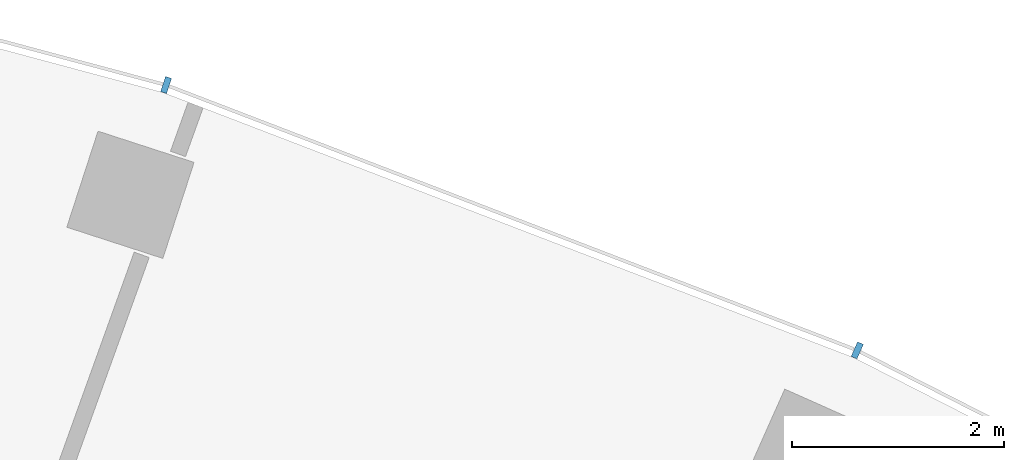
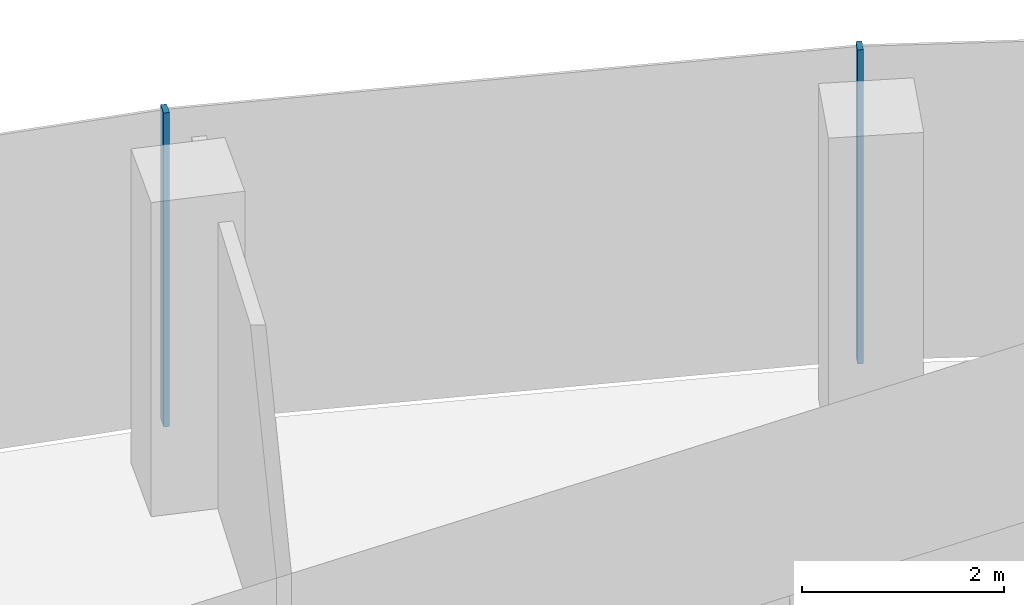
# One storey, part 9 of 20: 2 members, 1 element without a shape of its own.
"""IFC4 building model written with IfcOpenShell, lengths in metres."""

import ifcopenshell
import ifcopenshell.guid

model = None  # the IFC model being written
_history = None  # IfcOwnerHistory: only IFC2X3 demands one
_inside = {}  # id of a spatial element -> (the spatial element, [elements in it])
_under = {}  # id of a project, library or spatial element -> (it, [spatial elements below it])
_declared = {}  # id of a project -> (the project, [libraries it declares])
_typed = {}  # id of a type object -> (the type object, [elements of that type])
_made_of = {}  # id of a material, layer set ... -> (it, [elements and type objects made of it])


def new_model(schema):
    """Start an empty IFC model of exactly this schema.

    Asked for "IFC4X3", IfcOpenShell would pick the latest addendum, in which some entities
    have other attributes; the version numbers below select the first issue.
    IFC2X3 requires an IfcOwnerHistory on every rooted entity: one is made here for all.
    """
    global model, _history
    if schema == "IFC4X3":
        model = ifcopenshell.file(schema_version=(4, 3, 0, 0))
    else:
        model = ifcopenshell.file(schema=schema)
    _inside.clear()
    _under.clear()
    _declared.clear()
    _typed.clear()
    _made_of.clear()
    _history = None
    if model.schema == "IFC2X3":
        org = make("IfcOrganization", Name="unknown")
        user = make(
            "IfcPersonAndOrganization",
            ThePerson=make("IfcPerson", FamilyName="unknown"),
            TheOrganization=org,
        )
        app = make(
            "IfcApplication",
            ApplicationDeveloper=org,
            Version="unknown",
            ApplicationFullName="unknown",
            ApplicationIdentifier="unknown",
        )
        _history = make(
            "IfcOwnerHistory",
            OwningUser=user,
            OwningApplication=app,
            ChangeAction="ADDED",
            CreationDate=0,
        )
    return model


def make(cls, **values):
    """One entity of the class cls with the attributes given. An attribute that is None is left unset."""
    return model.create_entity(
        cls, **{name: value for name, value in values.items() if value is not None}
    )


def rooted(cls, **values):
    """An entity with a GlobalId (a new one), such as an element, a storey or a relation."""
    return make(cls, GlobalId=ifcopenshell.guid.new(), OwnerHistory=_history, **values)


def si_unit(unit_type, name, prefix=None):
    """IfcSIUnit, for example si_unit("LENGTHUNIT", "METRE", prefix="MILLI")."""
    return make("IfcSIUnit", UnitType=unit_type, Prefix=prefix, Name=name)


def assignment(units):
    """IfcUnitAssignment: the units of a project."""
    return None if units is None else make("IfcUnitAssignment", Units=units)


def point(xyz):
    """IfcCartesianPoint."""
    return None if xyz is None else make("IfcCartesianPoint", Coordinates=xyz)


def direction(xyz):
    """IfcDirection."""
    return None if xyz is None else make("IfcDirection", DirectionRatios=xyz)


def frame(location, z_axis=None, x_axis=None):
    """IfcAxis2Placement3D, a coordinate frame: its origin and axes. An axis left out is left unset."""
    return make(
        "IfcAxis2Placement3D",
        Location=point(location),
        Axis=direction(z_axis),
        RefDirection=direction(x_axis),
    )


def frame_2d(location, x_axis=None):
    """IfcAxis2Placement2D, a coordinate frame in the plane: its origin and x axis."""
    return make(
        "IfcAxis2Placement2D", Location=point(location), RefDirection=direction(x_axis)
    )


def origin():
    """The frame at (0, 0, 0) with its axes left unset."""
    return frame((0.0, 0.0, 0.0))


def origin_2d():
    """The frame at (0, 0) in the plane with its x axis left unset."""
    return frame_2d((0.0, 0.0))


def place(relative_to, where):
    """IfcLocalPlacement: puts the frame where relative to a parent placement (None: the world)."""
    return make(
        "IfcLocalPlacement", PlacementRelTo=relative_to, RelativePlacement=where
    )


def context(
    kind, dimensions, precision=None, world=None, true_north=None, identifier=None
):
    """IfcGeometricRepresentationContext, for example the 3D "Model" context."""
    return make(
        "IfcGeometricRepresentationContext",
        ContextIdentifier=identifier,
        ContextType=kind,
        CoordinateSpaceDimension=dimensions,
        Precision=precision,
        WorldCoordinateSystem=world,
        TrueNorth=true_north,
    )


def subcontext(parent, identifier, kind, view, scale=None):
    """IfcGeometricRepresentationSubContext, for example "Body" below "Model"."""
    return make(
        "IfcGeometricRepresentationSubContext",
        ContextIdentifier=identifier,
        ContextType=kind,
        ParentContext=parent,
        TargetScale=scale,
        TargetView=view,
    )


def project(units=None, contexts=None):
    """IfcProject with its units and contexts."""
    return rooted(
        "IfcProject",
        Name="project",
        RepresentationContexts=contexts,
        UnitsInContext=assignment(units),
    )


def spatial(cls, under=None, at=None, **own):
    """A site, building, storey or space (cls), placed at a placement, below another one or the project."""
    s = rooted(cls, ObjectPlacement=at, **own)
    if under is not None:
        _under.setdefault(under.id(), (under, []))[1].append(s)
    return s


def profile(cls, at=None, kind="AREA", **sizes):
    """A parametric profile (cls). Its sizes go by their IFC names, for example OverallWidth=200.0."""
    return make(cls, ProfileType=kind, Position=at, **sizes)


def rectangle(**sizes):
    """IfcRectangleProfileDef."""
    return profile("IfcRectangleProfileDef", **sizes)


def extrude(swept, where, along, depth):
    """IfcExtrudedAreaSolid: the profile swept, set in the frame where, extruded along a direction by depth."""
    return make(
        "IfcExtrudedAreaSolid",
        SweptArea=swept,
        Position=where,
        ExtrudedDirection=direction(along),
        Depth=depth,
    )


def shape(context_of_items, identifier, shape_type, items):
    """IfcShapeRepresentation: the items that make up one representation, for example the "Body"."""
    return make(
        "IfcShapeRepresentation",
        ContextOfItems=context_of_items,
        RepresentationIdentifier=identifier,
        RepresentationType=shape_type,
        Items=items,
    )


def material(Name=None, Category=None):
    """IfcMaterial."""
    return make("IfcMaterial", Name=Name, Category=Category)


def layer(
    of_material, thickness, ventilated=None, Name=None, Category=None, Priority=None
):
    """IfcMaterialLayer: one layer of a wall or slab, of a material (None: an air gap)."""
    return make(
        "IfcMaterialLayer",
        Material=of_material,
        LayerThickness=thickness,
        IsVentilated=ventilated,
        Name=Name,
        Category=Category,
        Priority=Priority,
    )


def layer_set(layers, Name=None):
    """IfcMaterialLayerSet."""
    return make("IfcMaterialLayerSet", MaterialLayers=layers, LayerSetName=Name)


def material_profile(
    of_material, cross_section, Name=None, Category=None, Priority=None
):
    """IfcMaterialProfile: a cross section and its material."""
    return make(
        "IfcMaterialProfile",
        Name=Name,
        Material=of_material,
        Profile=cross_section,
        Priority=Priority,
        Category=Category,
    )


def profile_set(profiles, Name=None, composite=None):
    """IfcMaterialProfileSet."""
    return make(
        "IfcMaterialProfileSet",
        Name=Name,
        MaterialProfiles=profiles,
        CompositeProfile=composite,
    )


def made_of(thing, what):
    """Note that an element or type object is made of a material, layer set ...; save() writes the relation."""
    if what is not None:
        _made_of.setdefault(what.id(), (what, []))[1].append(thing)
    return thing


def type_object(cls, material=None, **own):
    """A type object (cls), such as IfcWallType, which elements share."""
    return made_of(rooted(cls, **own), material)


def element(
    cls,
    number,
    at=None,
    inside=None,
    cuts=None,
    type_object=None,
    material=None,
    context=None,
    identifier="Body",
    shape_type=None,
    held_by="IfcProductDefinitionShape",
    body=None,
    shapes=None,
    **own,
):
    """One element of the class cls, such as IfcWall. Its Tag is "e" and its number.

    at: its placement. inside: the storey or other place that contains it. cuts: it is an
    opening in that element (IfcRelVoidsElement). A single representation is given by context,
    identifier, shape_type and body (its items); several are given by shapes. held_by: the class
    of the entity that holds the representations. save() writes the other relations.
    """
    e = rooted(cls, Tag="e%d" % number, ObjectPlacement=at, **own)
    if body is not None:
        shapes = [shape(context, identifier, shape_type, body)]
    if shapes is not None:
        e.Representation = make(held_by, Representations=shapes)
    if inside is not None:
        _inside.setdefault(inside.id(), (inside, []))[1].append(e)
    if cuts is not None:
        rooted(
            "IfcRelVoidsElement", RelatingBuildingElement=cuts, RelatedOpeningElement=e
        )
    if type_object is not None:
        _typed.setdefault(type_object.id(), (type_object, []))[1].append(e)
    return made_of(e, material)


def aggregate(whole, parts):
    """IfcRelAggregates: a whole, such as a stair, and the parts it consists of."""
    return rooted("IfcRelAggregates", RelatingObject=whole, RelatedObjects=parts)


def save(model, path):
    """Write the relations noted so far, then the file.

    IfcRelAggregates (storeys below a building ...), IfcRelContainedInSpatialStructure (elements
    in a storey), IfcRelDefinesByType, IfcRelAssociatesMaterial and IfcRelDeclares: one each for
    every whole, place, type object, material and project.
    """
    for whole, parts in _under.values():
        aggregate(whole, parts)
    for where, things in _inside.values():
        rooted(
            "IfcRelContainedInSpatialStructure",
            RelatedElements=things,
            RelatingStructure=where,
        )
    for kind, things in _typed.values():
        rooted("IfcRelDefinesByType", RelatedObjects=things, RelatingType=kind)
    for what, things in _made_of.values():
        rooted("IfcRelAssociatesMaterial", RelatedObjects=things, RelatingMaterial=what)
    for by, libraries in _declared.values():
        rooted("IfcRelDeclares", RelatingContext=by, RelatedDefinitions=libraries)
    model.write(path)


model = new_model("IFC4")

# Units and contexts
model_context = context("Model", 3, precision=1e-05, world=origin(), true_north=direction((0.0, 1.0)))
body_context = subcontext(model_context, "Body", "Model", "MODEL_VIEW")
ifc_project = project(units=[si_unit("LENGTHUNIT", "METRE"), si_unit("AREAUNIT", "SQUARE_METRE"), si_unit("VOLUMEUNIT", "CUBIC_METRE"), si_unit("PLANEANGLEUNIT", "RADIAN"), si_unit("MASSUNIT", "GRAM", prefix="KILO")], contexts=[model_context])

# Site, building, storey
site_placement = place(None, origin())
site = spatial("IfcSite", under=ifc_project, at=site_placement, CompositionType="ELEMENT")
building_placement = place(site_placement, origin())
building = spatial("IfcBuilding", under=site, at=building_placement, Name="Stone Belt Terrace Tower", CompositionType="ELEMENT")
storey_placement = place(building_placement, frame((0.0, 0.0, 216.199951171875)))
storey = spatial("IfcBuildingStorey", under=building, at=storey_placement, Name="L52", CompositionType="ELEMENT", Elevation=216.199951171875)

# Curtain wall, members
ifc_material = material(Name="Aluminium 6063-T6 anodised frame", Category="aluminium")
ifc_layer = layer(ifc_material, 0.14990234375)
ifc_layer_set = layer_set([ifc_layer], Name="CW-A unitised convex-face curtain wall")
curtain_wall_type = type_object("IfcCurtainWallType", Name="CW-A unitised convex-face curtain wall", PredefinedType="NOTDEFINED", material=ifc_layer_set)
curtain_wall_placement = place(storey_placement, origin())
curtain_wall = element("IfcCurtainWall", 1, at=curtain_wall_placement, inside=storey, type_object=curtain_wall_type, Name="CW-A convex face L52", PredefinedType="NOTDEFINED")
ifc_material_profile = material_profile(ifc_material, rectangle(XDim=0.14990234375, YDim=0.06005859375, at=origin_2d()), Name="Aluminium 6063-T6 60x150")
ifc_profile_set = profile_set([ifc_material_profile], Name="Aluminium 6063-T6 anodised frame")
member_type = type_object("IfcMemberType", Name="CW-A mullion 60 x 150", PredefinedType="MULLION", material=ifc_profile_set)
member_1_placement = place(storey_placement, frame((27.07861328125, 60.8193359375, 0.0), z_axis=(0.0, 0.0, 1.0), x_axis=(-0.406736643076, -0.913545457643, 0.0)))
member_1 = element("IfcMember", 2, at=member_1_placement, type_object=member_type, Name="CW-A mullion 5", PredefinedType="MULLION", context=body_context, shape_type="SweptSolid", body=[
    extrude(rectangle(XDim=0.14990234375, YDim=0.06005859375, at=origin_2d()), origin(), (0.0, 0.0, 1.0), 3.800048828125),
])
member_2_placement = place(storey_placement, frame((20.57275390625, 63.316650390625, 0.0), z_axis=(0.0, 0.0, 1.0), x_axis=(-0.309016994375, -0.951056516295, 0.0)))
member_2 = element("IfcMember", 3, at=member_2_placement, type_object=member_type, Name="CW-A mullion 6", PredefinedType="MULLION", context=body_context, shape_type="SweptSolid", body=[
    extrude(rectangle(XDim=0.14990234375, YDim=0.06005859375, at=origin_2d()), origin(), (0.0, 0.0, 1.0), 3.800048828125),
])
aggregate(curtain_wall, [member_1, member_2])

save(model, "model.ifc")
